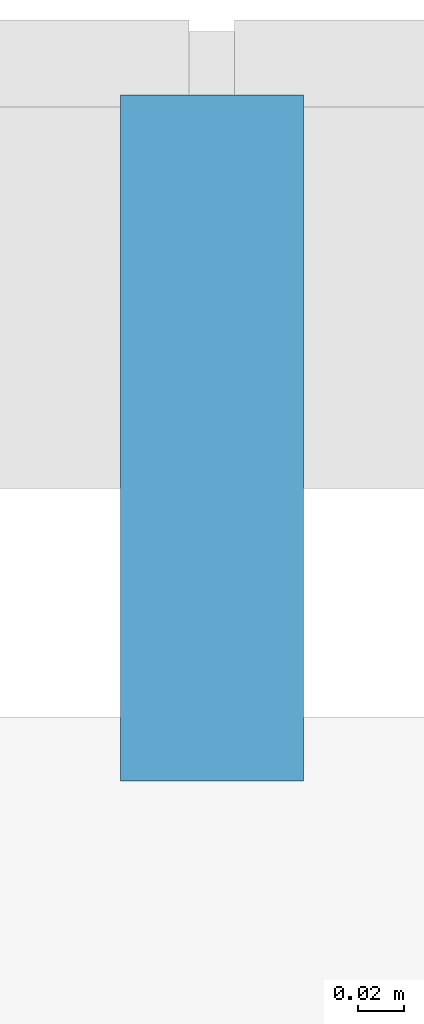
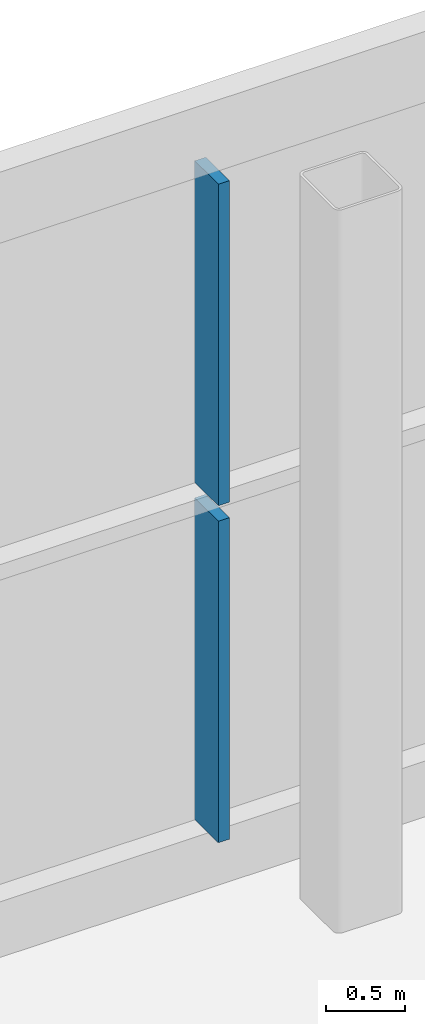
# One storey, part 16 of 100: 2 members, 1 element without a shape of its own.
"""IFC4 building model written with IfcOpenShell, lengths in metres."""

from ifc_helpers import new_model, si_unit, direction, frame, origin, origin_2d, place, context, subcontext, project, spatial, rectangle, extrude, material, layer, layer_set, material_profile, profile_set, type_object, element, aggregate, save


model = new_model("IFC4")

# Units and contexts
model_context = context("Model", 3, precision=1e-05, world=origin(), true_north=direction((0.0, 1.0)))
body_context = subcontext(model_context, "Body", "Model", "MODEL_VIEW")
ifc_project = project(units=[si_unit("LENGTHUNIT", "METRE"), si_unit("AREAUNIT", "SQUARE_METRE"), si_unit("VOLUMEUNIT", "CUBIC_METRE"), si_unit("PLANEANGLEUNIT", "RADIAN"), si_unit("MASSUNIT", "GRAM", prefix="KILO")], contexts=[model_context])

# Site, building, storey
site_placement = place(None, origin())
site = spatial("IfcSite", under=ifc_project, at=site_placement, CompositionType="ELEMENT")
building_placement = place(site_placement, origin())
building = spatial("IfcBuilding", under=site, at=building_placement, Name="Hakoniwa Tower and Hamabe Station Hall", CompositionType="ELEMENT")
storey_placement = place(building_placement, frame((0.0, 0.0, 9.0)))
storey = spatial("IfcBuildingStorey", under=building, at=storey_placement, Name="L02", CompositionType="ELEMENT", Elevation=9.0)

# Curtain wall, members
ifc_material_1 = material(Name="Dark low-e laminated glass", Category="glass")
ifc_layer = layer(ifc_material_1, 0.199951171875)
ifc_layer_set = layer_set([ifc_layer], Name="CW-3 PODIUM LOBBY")
curtain_wall_type = type_object("IfcCurtainWallType", Name="CW-3 PODIUM LOBBY", PredefinedType="NOTDEFINED", material=ifc_layer_set)
curtain_wall_placement = place(storey_placement, origin())
curtain_wall = element("IfcCurtainWall", 1, at=curtain_wall_placement, inside=storey, type_object=curtain_wall_type, Name="Podium curtain wall L02 north 4", PredefinedType="NOTDEFINED")
ifc_material_2 = material(Name="Aluminium 6063-T5 black anodised", Category="aluminium")
ifc_material_profile = material_profile(ifc_material_2, rectangle(XDim=0.080078125, YDim=0.300048828125, at=origin_2d()), Name="CW-3 MULLION 80X300")
ifc_profile_set = profile_set([ifc_material_profile], Name="Aluminium 6063-T5 black anodised")
member_type = type_object("IfcMemberType", Name="CW-3 MULLION 80X300", PredefinedType="MULLION", material=ifc_profile_set)
member_1_placement = place(storey_placement, frame((7.800048828125, 25.1220703125, 0.35009765625), z_axis=(0.0, 0.0, 1.0), x_axis=(-1.0, 0.0, 0.0)))
member_1 = element("IfcMember", 2, at=member_1_placement, type_object=member_type, Name="CW-3 mullion", PredefinedType="MULLION", context=body_context, shape_type="SweptSolid", body=[
    extrude(rectangle(XDim=0.080078125, YDim=0.300048828125, at=origin_2d()), origin(), (0.0, 0.0, 1.0), 2.489990234375),
])
member_2_placement = place(storey_placement, frame((7.800048828125, 25.1220703125, 2.9599609375), z_axis=(0.0, 0.0, 1.0), x_axis=(-1.0, 0.0, 0.0)))
member_2 = element("IfcMember", 3, at=member_2_placement, type_object=member_type, Name="CW-3 mullion", PredefinedType="MULLION", context=body_context, shape_type="SweptSolid", body=[
    extrude(rectangle(XDim=0.080078125, YDim=0.300048828125, at=origin_2d()), origin(), (0.0, 0.0, 1.0), 2.489990234375),
])
aggregate(curtain_wall, [member_1, member_2])

save(model, "model.ifc")
